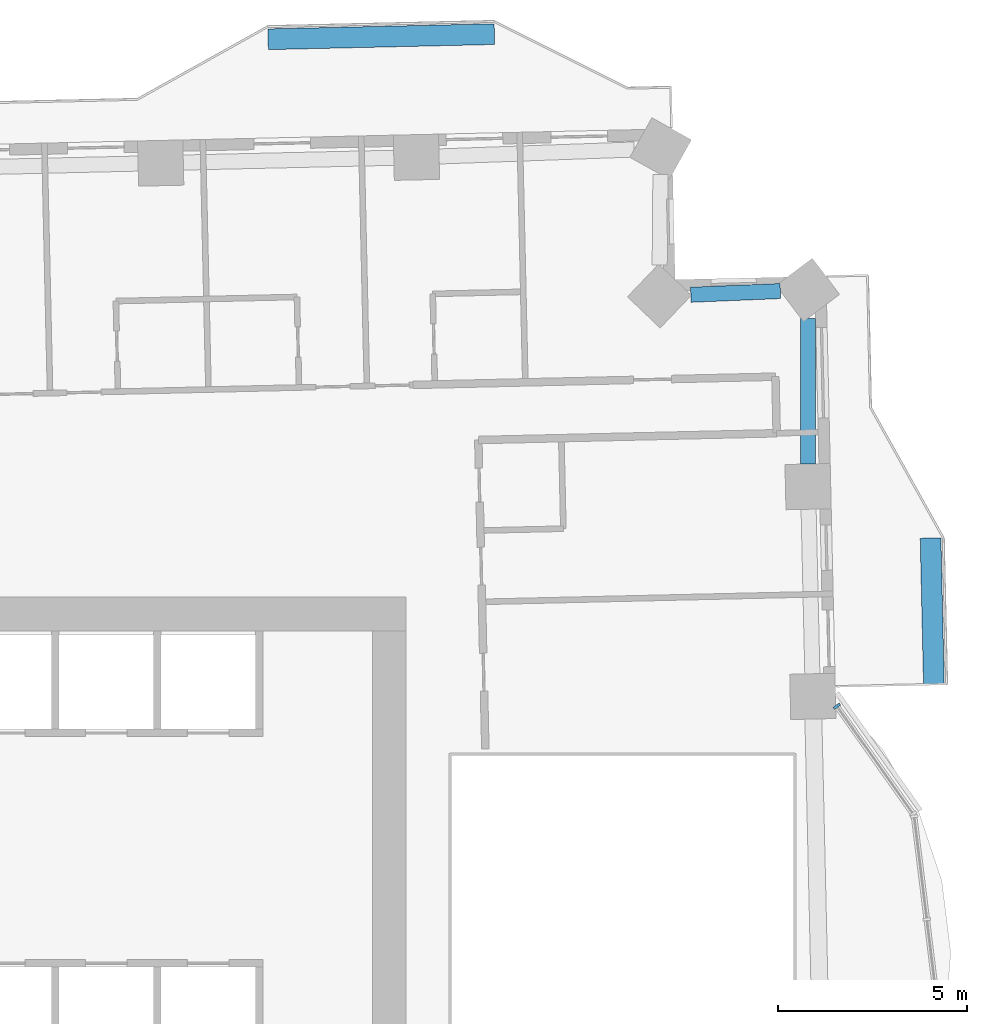
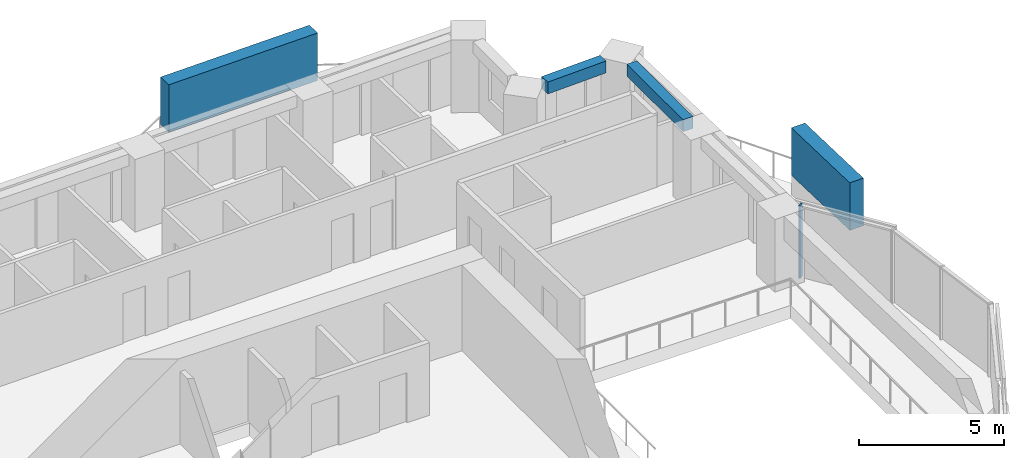
# One storey, part 4 of 16: 3 members, 2 beams, 1 element without a shape of its own.
"""IFC4 building model written with IfcOpenShell, lengths in metres."""

from ifc_helpers import new_model, si_unit, direction, frame, origin, origin_2d, place, context, subcontext, project, spatial, rectangle, extrude, material, material_profile, profile_set, type_object, element, aggregate, save


model = new_model("IFC4")

# Units and contexts
model_context = context("Model", 3, precision=1e-05, world=origin(), true_north=direction((0.0, 1.0)))
body_context = subcontext(model_context, "Body", "Model", "MODEL_VIEW")
ifc_project = project(units=[si_unit("LENGTHUNIT", "METRE"), si_unit("AREAUNIT", "SQUARE_METRE"), si_unit("VOLUMEUNIT", "CUBIC_METRE"), si_unit("PLANEANGLEUNIT", "RADIAN"), si_unit("MASSUNIT", "GRAM", prefix="KILO")], contexts=[model_context])

# Site, building, storey
site_placement = place(None, origin())
site = spatial("IfcSite", under=ifc_project, at=site_placement, CompositionType="ELEMENT")
building_placement = place(site_placement, origin())
building = spatial("IfcBuilding", under=site, at=building_placement, Name="Mangrove Gate Tower", CompositionType="ELEMENT")
storey_placement = place(building_placement, frame((0.0, 0.0, 189.699951171875)))
storey = spatial("IfcBuildingStorey", under=building, at=storey_placement, Name="L48", CompositionType="ELEMENT", Elevation=189.699951171875)

# Curtain wall, member
ifc_material_1 = material(Name="Aluminium and glass curtain wall", Category="aluminium")
curtain_wall_type = type_object("IfcCurtainWallType", Name="Atrium garden-court glazing wall", PredefinedType="NOTDEFINED", material=ifc_material_1)
curtain_wall_placement = place(storey_placement, origin())
curtain_wall = element("IfcCurtainWall", 1, at=curtain_wall_placement, inside=storey, type_object=curtain_wall_type, Name="Atrium garden-court glazing E1f3", PredefinedType="NOTDEFINED")
ifc_material_2 = material(Name="Aluminium alloy 6063-T6", Category="aluminium")
ifc_material_profile_1 = material_profile(ifc_material_2, rectangle(XDim=0.070068359375, YDim=0.199951171875, at=origin_2d()))
ifc_profile_set_1 = profile_set([ifc_material_profile_1], Name="Aluminium alloy 6063-T6")
member_type_1 = type_object("IfcMemberType", Name="Atrium garden-court glazing mullion 70x200", PredefinedType="MULLION", material=ifc_profile_set_1)
member_1_placement = place(storey_placement, frame((26.11376953125, 8.808837890625, 0.0), z_axis=(0.0, 0.0, 1.0), x_axis=(-0.578106334278, 0.815961436753, 0.0)))
member_1 = element("IfcMember", 2, at=member_1_placement, type_object=member_type_1, Name="CWA mullion 2", PredefinedType="MULLION", context=body_context, shape_type="SweptSolid", body=[
    extrude(rectangle(XDim=0.070068359375, YDim=0.199951171875, at=origin_2d()), origin(), (0.0, 0.0, 1.0), 3.050048828125),
])
aggregate(curtain_wall, [member_1])

# Members
ifc_material_3 = material(Name="Planting on aluminium trellis", Category="aluminium")
ifc_material_profile_2 = material_profile(ifc_material_3, rectangle(XDim=0.550048828125, YDim=2.0, at=origin_2d()))
ifc_profile_set_2 = profile_set([ifc_material_profile_2], Name="Planting on aluminium trellis")
member_type_2 = type_object("IfcMemberType", Name="Balcony greenery screen 550x2000", PredefinedType="USERDEFINED", material=ifc_profile_set_2)
member_2_placement = place(storey_placement, frame((28.68603515625, 9.39208984375, 1.800048828125), z_axis=(-0.022744303924, 0.999741314861, 0.0), x_axis=(-0.999741314861, -0.022744303924, 0.0)))
element("IfcMember", 3, at=member_2_placement, inside=storey, type_object=member_type_2, Name="GREEN SCREEN L48 E1.1", ObjectType="PLANTING", PredefinedType="USERDEFINED", context=body_context, shape_type="SweptSolid", body=[
    extrude(rectangle(XDim=0.550048828125, YDim=2.0, at=origin_2d()), origin(), (0.0, 0.0, 1.0), 3.875),
])
member_3_placement = place(storey_placement, frame((11.0390625, 26.486083984375, 1.800048828125), z_axis=(0.999743094499, 0.022665943652, 0.0), x_axis=(-0.022665943652, 0.999743094499, 0.0)))
element("IfcMember", 4, at=member_3_placement, inside=storey, type_object=member_type_2, Name="GREEN SCREEN L48 N0.1", ObjectType="PLANTING", PredefinedType="USERDEFINED", context=body_context, shape_type="SweptSolid", body=[
    extrude(rectangle(XDim=0.550048828125, YDim=2.0, at=origin_2d()), origin(), (0.0, 0.0, 1.0), 5.99951171875),
])

# Beams
ifc_material_4 = material(Name="Concrete C50/60", Category="concrete")
ifc_material_profile_3 = material_profile(ifc_material_4, rectangle(XDim=0.39990234375, YDim=0.5, at=origin_2d()))
ifc_profile_set_3 = profile_set([ifc_material_profile_3], Name="Concrete C50/60")
beam_type = type_object("IfcBeamType", Name="Edge beam RC 400x500 C50/60", PredefinedType="BEAM", material=ifc_profile_set_3)
beam_1_placement = place(storey_placement, frame((25.3505859375, 15.2294921875, 2.800048828125), z_axis=(-0.001011377485, 0.999999488558, 0.0), x_axis=(-0.999999488558, -0.001011377485, 0.0)))
element("IfcBeam", 5, at=beam_1_placement, inside=storey, type_object=beam_type, Name="Edge beam L48 16", PredefinedType="BEAM", context=body_context, shape_type="SweptSolid", body=[
    extrude(rectangle(XDim=0.39990234375, YDim=0.5, at=origin_2d()), origin(), (0.0, 0.0, 1.0), 3.8623046875),
])
beam_2_placement = place(storey_placement, frame((24.6171875, 19.812744140625, 2.800048828125), z_axis=(-0.999146203439, -0.041314212485, 0.0), x_axis=(0.041314212485, -0.999146203439, 0.0)))
element("IfcBeam", 6, at=beam_2_placement, inside=storey, type_object=beam_type, Name="Edge beam L48 17", PredefinedType="BEAM", context=body_context, shape_type="SweptSolid", body=[
    extrude(rectangle(XDim=0.39990234375, YDim=0.5, at=origin_2d()), origin(), (0.0, 0.0, 1.0), 2.37548828125),
])

save(model, "model.ifc")
